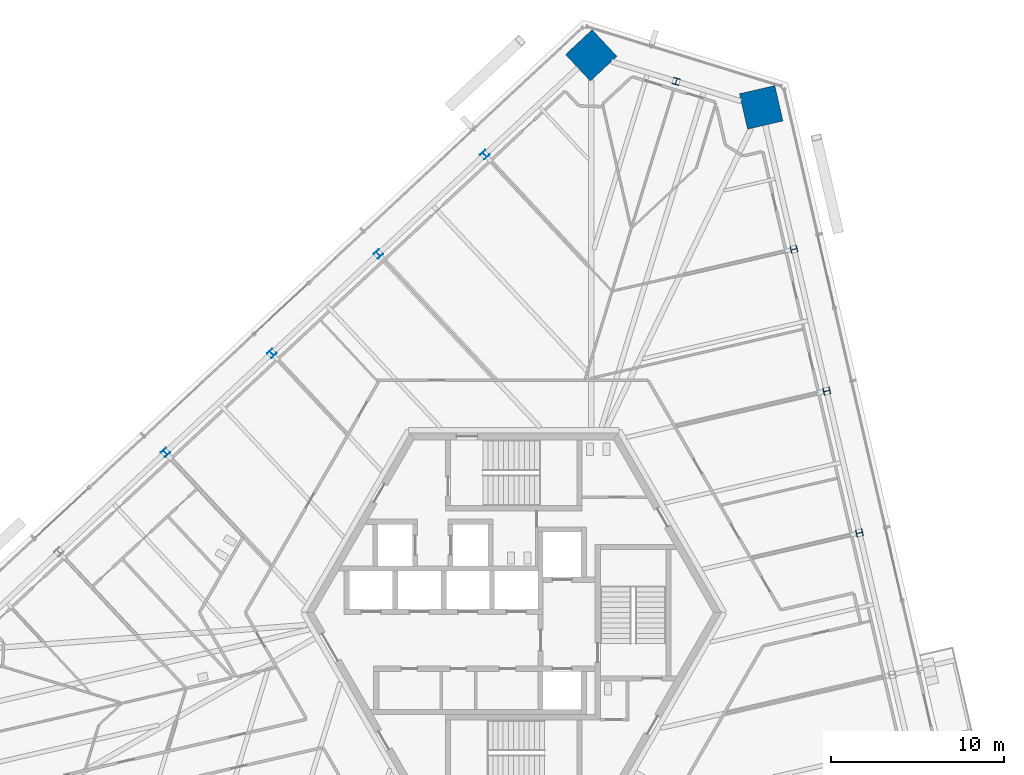
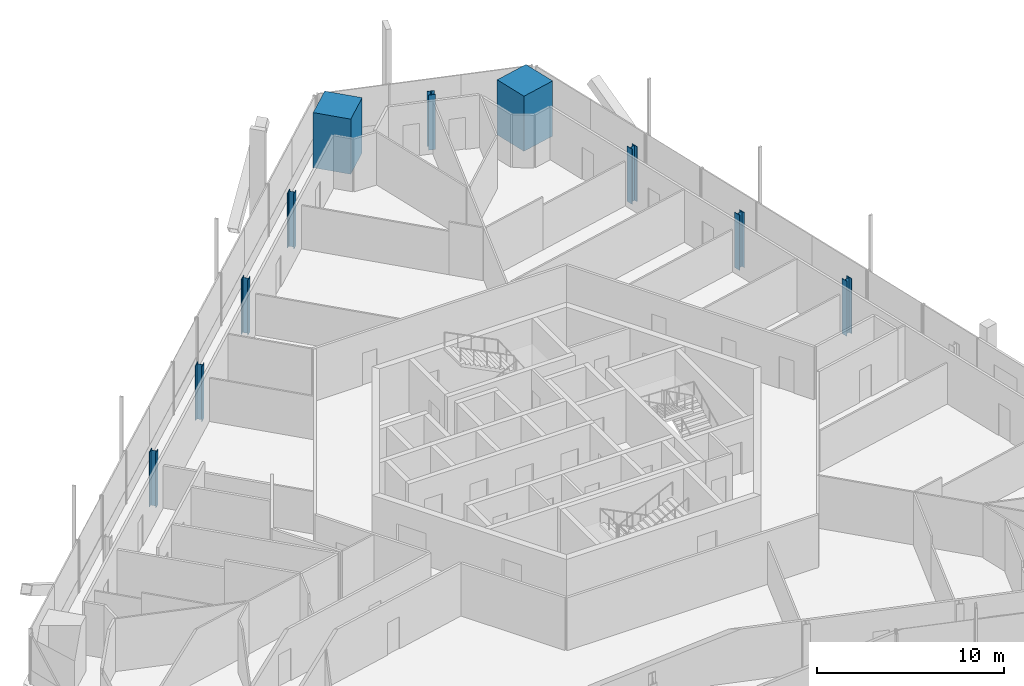
# One storey, part 3 of 24: 10 columns.
"""IFC4 building model written with IfcOpenShell, lengths in metres."""

from ifc_helpers import new_model, si_unit, direction, frame, origin, origin_2d, place, context, subcontext, project, spatial, rectangle, i_section, extrude, source, transform, mapped, material, material_profile, profile_set, type_object, element, save


model = new_model("IFC4")

# Units and contexts
model_context = context("Model", 3, precision=1e-05, world=origin(), true_north=direction((0.0, 1.0)))
body_context = subcontext(model_context, "Body", "Model", "MODEL_VIEW")
ifc_project = project(units=[si_unit("LENGTHUNIT", "METRE"), si_unit("AREAUNIT", "SQUARE_METRE"), si_unit("VOLUMEUNIT", "CUBIC_METRE"), si_unit("PLANEANGLEUNIT", "RADIAN"), si_unit("MASSUNIT", "GRAM", prefix="KILO")], contexts=[model_context])

# Site, building, storey
site_placement = place(None, origin())
site = spatial("IfcSite", under=ifc_project, at=site_placement, CompositionType="ELEMENT")
building_placement = place(site_placement, origin())
building = spatial("IfcBuilding", under=site, at=building_placement, Name="Triune Harvest Tower", CompositionType="ELEMENT")
storey_placement = place(building_placement, frame((0.0, 0.0, 127.10009765625)))
storey = spatial("IfcBuildingStorey", under=building, at=storey_placement, Name="L32", CompositionType="ELEMENT", Elevation=127.10009765625)

# Columns
ifc_material_1 = material(Name="Concrete 70 MPa", Category="concrete")
ifc_material_profile_1 = material_profile(ifc_material_1, rectangle(XDim=2.10009765625, YDim=2.10009765625, at=origin_2d()), Name="Composite 2100x2100")
ifc_profile_set_1 = profile_set([ifc_material_profile_1], Name="Concrete 70 MPa")
column_type_1 = type_object("IfcColumnType", Name="MC-3 Mega column Composite 2100x2100", PredefinedType="COLUMN", material=ifc_profile_set_1)
shared_shape_1 = source(origin(), body_context, "Body", "SweptSolid", [
    extrude(rectangle(XDim=2.10009765625, YDim=2.10009765625, at=origin_2d()), origin(), (0.0, 0.0, 1.0), 3.599853515625),
])
for number, where, z_axis, x_axis, name in (
    (1, (14.301513671875, 29.208984375, 0.0), (0.0, 0.0, 1.0), (-0.22495275494, 0.97436967217, 0.0), "col/L32/M6"),
    (2, (4.47705078125, 32.212646484375, 0.0), (0.0, 0.0, 1.0), (-0.73135489193, -0.681997083608, 0.0), "col/L32/M8"),
):
    element("IfcColumn", number, at=place(storey_placement, frame(where, z_axis=z_axis, x_axis=x_axis)), inside=storey, type_object=column_type_1, Name=name, PredefinedType="COLUMN", context=body_context, shape_type="MappedRepresentation", body=[
        mapped(shared_shape_1, transform((0.0, 0.0, 0.0), scale=1.0)),
    ])
ifc_material_2 = material(Name="Steel ASTM A992 Gr 50", Category="steel")
ifc_material_profile_2 = material_profile(ifc_material_2, i_section(OverallWidth=0.396240234375, OverallDepth=0.381103515625, WebThickness=0.01904296875, FlangeThickness=0.0302734375, at=origin_2d()), Name="W14x159")
ifc_profile_set_2 = profile_set([ifc_material_profile_2], Name="Steel ASTM A992 Gr 50")
column_type_2 = type_object("IfcColumnType", Name="PC-3 Perimeter column W14x159", PredefinedType="COLUMN", material=ifc_profile_set_2)
shared_shape_2 = source(origin(), body_context, "Body", "SweptSolid", [
    extrude(i_section(OverallWidth=0.396240234375, OverallDepth=0.381103515625, WebThickness=0.01904296875, FlangeThickness=0.0302734375, at=origin_2d()), origin(), (0.0, 0.0, 1.0), 3.599853515625),
])
for number, where, z_axis, x_axis, name in (
    (3, (19.97998046875, 4.61279296875, 0.0), (0.0, 0.0, 1.0), (-0.22495275494, 0.97436967217, 0.0), "col/L32/P3"),
    (4, (18.087158203125, 12.8115234375, 0.0), (0.0, 0.0, 1.0), (-0.22495275494, 0.97436967217, 0.0), "col/L32/P4"),
    (5, (16.1943359375, 21.01025390625, 0.0), (0.0, 0.0, 1.0), (-0.22495275494, 0.97436967217, 0.0), "col/L32/P5"),
    (6, (9.389404296875, 30.7109375, 0.0), (0.0, 0.0, 1.0), (-0.956304755963, 0.292371704723, 0.0), "col/L32/P7"),
    (7, (-1.6767578125, 26.47412109375, 0.0), (0.0, 0.0, 1.0), (-0.73135489193, -0.681997083608, 0.0), "col/L32/P9"),
    (8, (-7.830810546875, 20.7353515625, 0.0), (0.0, 0.0, 1.0), (-0.73135489193, -0.681997083608, 0.0), "col/L32/P10"),
    (9, (-13.984619140625, 14.996826171875, 0.0), (0.0, 0.0, 1.0), (-0.73135489193, -0.681997083608, 0.0), "col/L32/P11"),
    (10, (-20.138671875, 9.25830078125, 0.0), (0.0, 0.0, 1.0), (-0.73135489193, -0.681997083608, 0.0), "col/L32/P12"),
):
    element("IfcColumn", number, at=place(storey_placement, frame(where, z_axis=z_axis, x_axis=x_axis)), inside=storey, type_object=column_type_2, Name=name, PredefinedType="COLUMN", context=body_context, shape_type="MappedRepresentation", body=[
        mapped(shared_shape_2, transform((0.0, 0.0, 0.0), scale=1.0)),
    ])

save(model, "model.ifc")
